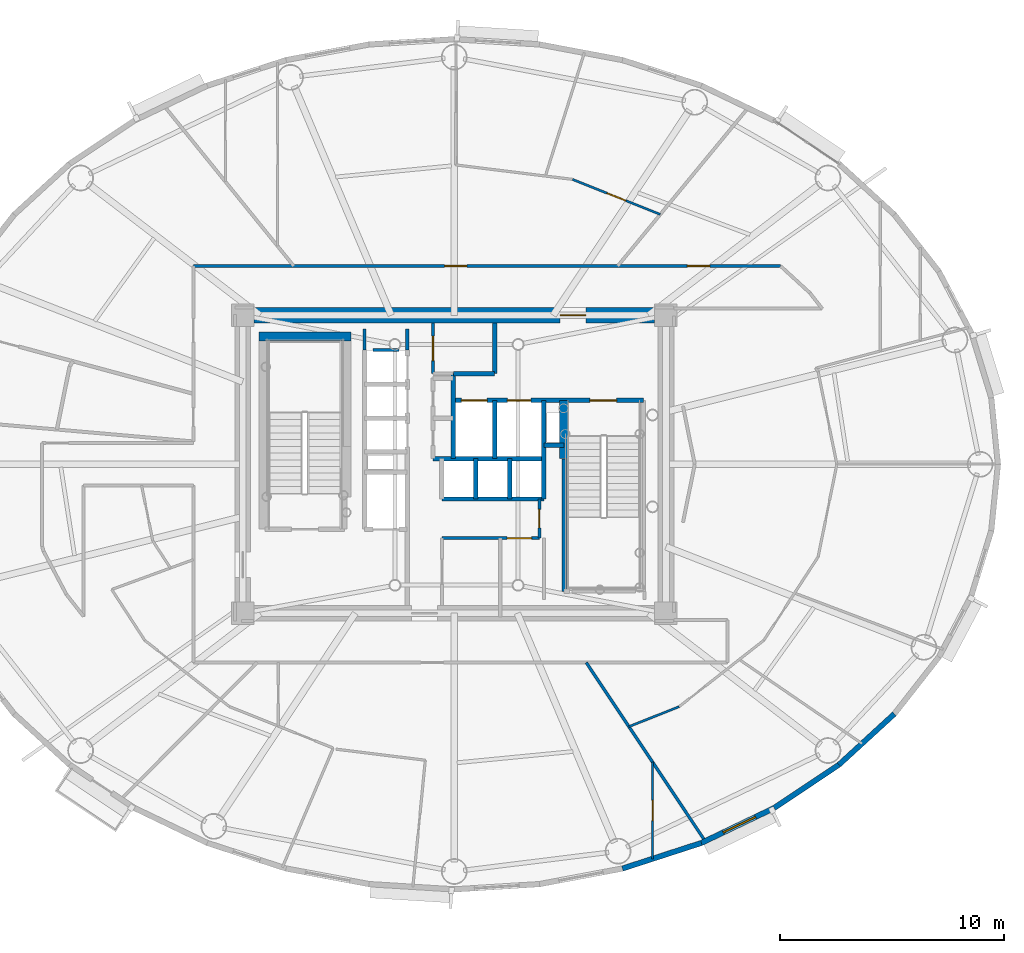
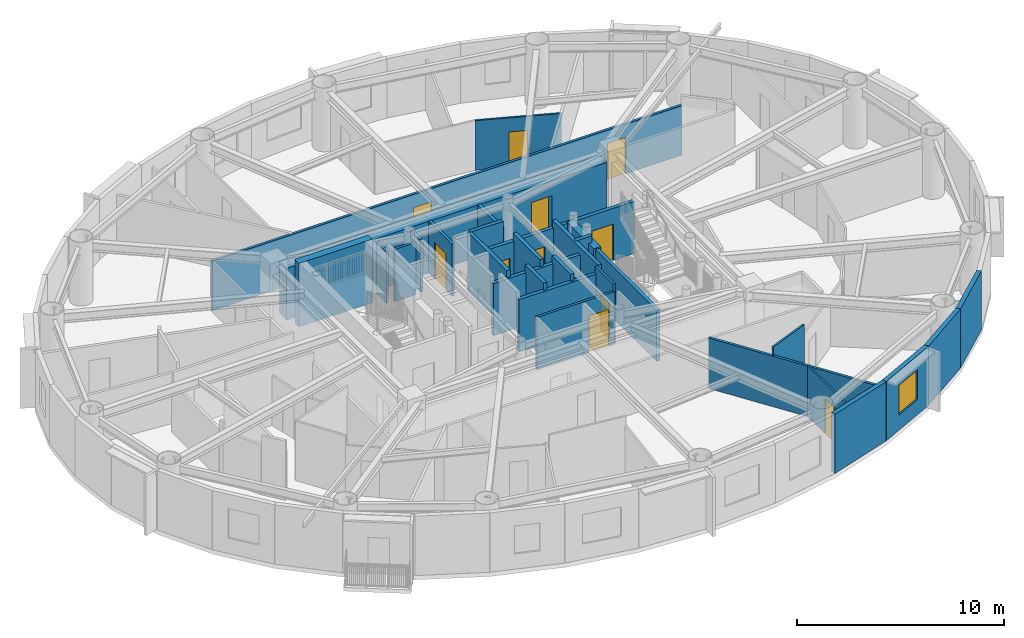
# One storey, part 9 of 18: 30 walls, 11 doors, 1 window, 12 openings.
"""IFC4 building model written with IfcOpenShell, lengths in metres."""

from ifc_helpers import new_model, si_unit, direction, frame, frame_2d, origin, origin_2d, place, context, subcontext, project, spatial, rectangle, extrude, source, transform, mapped, material, layer, layer_set, type_object, element, fill, save


model = new_model("IFC4")

# Units and contexts
model_context = context("Model", 3, precision=1e-05, world=origin(), true_north=direction((0.0, 1.0)))
body_context = subcontext(model_context, "Body", "Model", "MODEL_VIEW")
ifc_project = project(units=[si_unit("LENGTHUNIT", "METRE"), si_unit("AREAUNIT", "SQUARE_METRE"), si_unit("VOLUMEUNIT", "CUBIC_METRE"), si_unit("PLANEANGLEUNIT", "RADIAN"), si_unit("MASSUNIT", "GRAM", prefix="KILO")], contexts=[model_context])

# Site, building, storey
site_placement = place(None, origin())
site = spatial("IfcSite", under=ifc_project, at=site_placement, CompositionType="ELEMENT")
building_placement = place(site_placement, origin())
building = spatial("IfcBuilding", under=site, at=building_placement, Name="Linh Dai School and Residence Tower", CompositionType="ELEMENT")
storey_placement = place(building_placement, frame((0.0, 0.0, 244.050048828125)))
storey = spatial("IfcBuildingStorey", under=building, at=storey_placement, Name="L60", CompositionType="ELEMENT", Elevation=244.050048828125)

# Wall
ifc_material_1 = material(Name="Precast Concrete B45 (C35/45)", Category="concrete")
ifc_layer_1 = layer(ifc_material_1, 0.239990234375)
ifc_layer_set_1 = layer_set([ifc_layer_1], Name="Precast Concrete B45 (C35/45)")
wall_type_1 = type_object("IfcWallType", Name="EW-TC-240", PredefinedType="SOLIDWALL", material=ifc_layer_set_1)
wall_1_placement = place(storey_placement, frame((47.031005859375, 10.093505859375, 0.0), z_axis=(0.0, 0.0, 1.0), x_axis=(-0.951210789182, -0.308541787354, 0.0)))
element("IfcWall", 1, at=wall_1_placement, inside=storey, type_object=wall_type_1, Name="L60 Terracotta Exterior Wall 33", PredefinedType="SOLIDWALL", context=body_context, shape_type="SweptSolid", body=[
    extrude(rectangle(XDim=3.702392578125, YDim=0.239990234375, at=frame_2d((1.85107421875, 0.0))), origin(), (0.0, 0.0, 1.0), 3.5),
])

# Wall, opening, window
wall_2_placement = place(storey_placement, frame((50.280029296875, 11.65234375, 0.0), z_axis=(0.0, 0.0, 1.0), x_axis=(-0.901598104751, -0.432574684313, 0.0)))
wall_2 = element("IfcWall", 2, at=wall_2_placement, inside=storey, type_object=wall_type_1, Name="L60 Terracotta Exterior Wall 34", PredefinedType="SOLIDWALL", context=body_context, shape_type="SweptSolid", body=[
    extrude(rectangle(XDim=3.603515625, YDim=0.239990234375, at=frame_2d((1.8017578125, 0.0))), origin(), (0.0, 0.0, 1.0), 3.5),
])
opening_1_placement = place(wall_2_placement, frame((0.9208984375, 0.0, 0.89990234375)))
opening_1 = element("IfcOpeningElement", 3, at=opening_1_placement, cuts=wall_2, Name="Opening W2", PredefinedType="OPENING", context=body_context, shape_type="SweptSolid", body=[
    extrude(rectangle(XDim=1.60009765625, YDim=1.75, at=origin_2d()), frame((0.800048828125, 0.1298828125, 0.875), z_axis=(0.0, -1.0, 0.0), x_axis=(1.0, 0.0, 0.0)), (0.0, 0.0, 1.0), 0.260009765625),
])
ifc_material_2 = material(Name="Double Low-E Insulated Glazing", Category="glass")
window_type = type_object("IfcWindowType", Name="WN-RES-1600x1750", PartitioningType="DOUBLE_PANEL_VERTICAL", PredefinedType="WINDOW", material=ifc_material_2)
shared_shape_1 = source(origin(), body_context, "Body", "SweptSolid", [
    extrude(rectangle(XDim=1.60009765625, YDim=1.75, at=origin_2d()), frame((0.800048828125, 0.030029296875, 0.875), z_axis=(0.0, -1.0, 0.0), x_axis=(1.0, 0.0, 0.0)), (0.0, 0.0, 1.0), 0.06005859375),
])
window_placement = place(opening_1_placement, origin())
window = element("IfcWindow", 4, at=window_placement, inside=storey, type_object=window_type, Name="L60 Exterior Window 34.1", OverallHeight=1.75, OverallWidth=1.60009765625, PartitioningType="DOUBLE_PANEL_VERTICAL", PredefinedType="WINDOW", context=body_context, shape_type="MappedRepresentation", body=[
    mapped(shared_shape_1, transform((0.0, 0.0, 0.0), x_axis=(1.0, 0.0, 0.0), y_axis=(0.0, 1.0, 0.0), z_axis=(0.0, 0.0, 1.0), scale=1.0)),
])
fill(opening_1, window)

# Walls
wall_3_placement = place(storey_placement, frame((53.17626953125, 13.589111328125, 0.0), z_axis=(0.0, 0.0, 1.0), x_axis=(-0.831262496074, -0.555880079352, 0.0)))
element("IfcWall", 5, at=wall_3_placement, inside=storey, type_object=wall_type_1, Name="L60 Terracotta Exterior Wall 35", PredefinedType="SOLIDWALL", context=body_context, shape_type="SweptSolid", body=[
    extrude(rectangle(XDim=3.484130859375, YDim=0.239990234375, at=frame_2d((1.7421875, 0.0))), origin(), (0.0, 0.0, 1.0), 3.5),
])
wall_4_placement = place(storey_placement, frame((55.6484375, 15.85546875, 0.0), z_axis=(0.0, 0.0, 1.0), x_axis=(-0.737123922599, -0.675757591694, 0.0)))
element("IfcWall", 6, at=wall_4_placement, inside=storey, type_object=wall_type_1, Name="L60 Terracotta Exterior Wall 36", PredefinedType="SOLIDWALL", context=body_context, shape_type="SweptSolid", body=[
    extrude(rectangle(XDim=3.353759765625, YDim=0.239990234375, at=frame_2d((1.6767578125, 0.0))), origin(), (0.0, 0.0, 1.0), 3.5),
])

# Wall, openings, doors
ifc_material_3 = material(Name="Autoclaved Aerated Concrete Blockwork", Category="masonry")
ifc_layer_2 = layer(ifc_material_3, 0.135009765625)
ifc_layer_set_2 = layer_set([ifc_layer_2], Name="Autoclaved Aerated Concrete Blockwork")
wall_type_2 = type_object("IfcWallType", Name="IW-CORR-135-EI90", PredefinedType="PARTITIONING", material=ifc_layer_set_2)
wall_5_placement = place(storey_placement, frame((24.35009765625, 35.85009765625, 0.0), z_axis=(0.0, 0.0, 1.0), x_axis=(1.0, 0.0, 0.0)))
wall_5 = element("IfcWall", 7, at=wall_5_placement, inside=storey, type_object=wall_type_2, Name="L60 Interior Partition Wall 022", PredefinedType="PARTITIONING", context=body_context, shape_type="SweptSolid", body=[
    extrude(rectangle(XDim=26.2177734375, YDim=0.135009765625, at=frame_2d((13.10888671875, 0.0))), origin(), (0.0, 0.0, 1.0), 2.93505859375),
])
opening_2_placement = place(wall_5_placement, frame((22.0615234375, 0.0, 0.0)))
opening_2 = element("IfcOpeningElement", 8, at=opening_2_placement, cuts=wall_5, Name="Opening D03", PredefinedType="OPENING", context=body_context, shape_type="SweptSolid", body=[
    extrude(rectangle(XDim=1.0, YDim=2.14990234375, at=origin_2d()), frame((0.5, 0.07763671875, 1.074951171875), z_axis=(0.0, -1.0, 0.0), x_axis=(1.0, 0.0, 0.0)), (0.0, 0.0, 1.0), 0.155029296875),
])
opening_3_placement = place(wall_5_placement, frame((11.21435546875, 0.0, 0.0)))
opening_3 = element("IfcOpeningElement", 9, at=opening_3_placement, cuts=wall_5, Name="Opening D03", PredefinedType="OPENING", context=body_context, shape_type="SweptSolid", body=[
    extrude(rectangle(XDim=1.0, YDim=2.14990234375, at=origin_2d()), frame((0.5, 0.07763671875, 1.074951171875), z_axis=(0.0, -1.0, 0.0), x_axis=(1.0, 0.0, 0.0)), (0.0, 0.0, 1.0), 0.155029296875),
])
ifc_material_4 = material(Name="Fire-Rated Solid Timber Entrance Door", Category="wood")
door_type_1 = type_object("IfcDoorType", Name="DR-FLAT-1000x2150-FD60S", OperationType="NOTDEFINED", PredefinedType="DOOR", material=ifc_material_4)
shared_shape_2 = source(origin(), body_context, "Body", "SweptSolid", [
    extrude(rectangle(XDim=1.0, YDim=2.14990234375, at=origin_2d()), frame((0.5, 0.02490234375, 1.074951171875), z_axis=(0.0, -1.0, 0.0), x_axis=(1.0, 0.0, 0.0)), (0.0, 0.0, 1.0), 0.050048828125),
])
door_1_placement = place(opening_2_placement, origin())
door_1 = element("IfcDoor", 10, at=door_1_placement, inside=storey, type_object=door_type_1, Name="L60 U6003 Apartment Entrance Door", OperationType="SINGLE_SWING_LEFT", OverallHeight=2.14990234375, OverallWidth=1.0, PredefinedType="DOOR", context=body_context, shape_type="MappedRepresentation", body=[
    mapped(shared_shape_2, transform((0.0, 0.0, 0.0), x_axis=(1.0, 0.0, 0.0), y_axis=(0.0, 1.0, 0.0), z_axis=(0.0, 0.0, 1.0), scale=1.0)),
])
fill(opening_2, door_1)
door_2_placement = place(opening_3_placement, origin())
door_2 = element("IfcDoor", 11, at=door_2_placement, inside=storey, type_object=door_type_1, Name="L60 U6004 Apartment Entrance Door", OperationType="SINGLE_SWING_RIGHT", OverallHeight=2.14990234375, OverallWidth=1.0, PredefinedType="DOOR", context=body_context, shape_type="MappedRepresentation", body=[
    mapped(shared_shape_2, transform((0.0, 0.0, 0.0), x_axis=(1.0, 0.0, 0.0), y_axis=(0.0, 1.0, 0.0), z_axis=(0.0, 0.0, 1.0), scale=1.0)),
])
fill(opening_3, door_2)

# Wall, opening, door
wall_6_placement = place(storey_placement, frame((35.050048828125, 31.050048828125, 0.0), z_axis=(0.0, 0.0, 1.0), x_axis=(0.0, 1.0, 0.0)))
wall_6 = element("IfcWall", 12, at=wall_6_placement, inside=storey, type_object=wall_type_2, Name="L60 Interior Partition Wall 043", PredefinedType="PARTITIONING", context=body_context, shape_type="SweptSolid", body=[
    extrude(rectangle(XDim=2.25, YDim=0.135009765625, at=frame_2d((1.125, 0.0))), origin(), (0.0, 0.0, 1.0), 3.0849609375),
])
opening_4_placement = place(wall_6_placement, frame((0.574951171875, 0.0, 0.0)))
opening_4 = element("IfcOpeningElement", 13, at=opening_4_placement, cuts=wall_6, Name="Opening D07", PredefinedType="OPENING", context=body_context, shape_type="SweptSolid", body=[
    extrude(rectangle(XDim=1.10009765625, YDim=2.14990234375, at=origin_2d()), frame((0.550048828125, 0.07763671875, 1.074951171875), z_axis=(0.0, -1.0, 0.0), x_axis=(1.0, 0.0, 0.0)), (0.0, 0.0, 1.0), 0.155029296875),
])
ifc_material_5 = material(Name="Fire-Rated Louvred Steel Plant Door", Category="steel")
door_type_2 = type_object("IfcDoorType", Name="DR-PLT-1100x2150-FD60S", OperationType="NOTDEFINED", PredefinedType="DOOR", material=ifc_material_5)
shared_shape_3 = source(origin(), body_context, "Body", "SweptSolid", [
    extrude(rectangle(XDim=1.10009765625, YDim=2.14990234375, at=origin_2d()), frame((0.550048828125, 0.02490234375, 1.074951171875), z_axis=(0.0, -1.0, 0.0), x_axis=(1.0, 0.0, 0.0)), (0.0, 0.0, 1.0), 0.050048828125),
])
door_3_placement = place(opening_4_placement, origin())
door_3 = element("IfcDoor", 14, at=door_3_placement, inside=storey, type_object=door_type_2, Name="L60 North BMS Switchroom Door", OperationType="SINGLE_SWING_LEFT", OverallHeight=2.14990234375, OverallWidth=1.10009765625, PredefinedType="DOOR", context=body_context, shape_type="MappedRepresentation", body=[
    mapped(shared_shape_3, transform((0.0, 0.0, 0.0), x_axis=(1.0, 0.0, 0.0), y_axis=(0.0, 1.0, 0.0), z_axis=(0.0, 0.0, 1.0), scale=1.0)),
])
fill(opening_4, door_3)

wall_7_placement = place(storey_placement, frame((35.449951171875, 23.699951171875, 0.0), z_axis=(0.0, 0.0, 1.0), x_axis=(1.0, 0.0, 0.0)))
wall_7 = element("IfcWall", 15, at=wall_7_placement, inside=storey, type_object=wall_type_2, Name="L60 Interior Partition Wall 046", PredefinedType="PARTITIONING", context=body_context, shape_type="SweptSolid", body=[
    extrude(rectangle(XDim=4.35009765625, YDim=0.135009765625, at=frame_2d((2.175048828125, 0.0))), origin(), (0.0, 0.0, 1.0), 3.0849609375),
])
opening_5_placement = place(wall_7_placement, frame((2.905029296875, 0.0, 0.0)))
opening_5 = element("IfcOpeningElement", 16, at=opening_5_placement, cuts=wall_7, Name="Opening D07", PredefinedType="OPENING", context=body_context, shape_type="SweptSolid", body=[
    extrude(rectangle(XDim=1.10009765625, YDim=2.14990234375, at=origin_2d()), frame((0.550048828125, 0.07763671875, 1.074951171875), z_axis=(0.0, -1.0, 0.0), x_axis=(1.0, 0.0, 0.0)), (0.0, 0.0, 1.0), 0.155029296875),
])
door_4_placement = place(opening_5_placement, origin())
door_4 = element("IfcDoor", 17, at=door_4_placement, inside=storey, type_object=door_type_2, Name="L60 Telecom Node Room Door", OperationType="SINGLE_SWING_RIGHT", OverallHeight=2.14990234375, OverallWidth=1.10009765625, PredefinedType="DOOR", context=body_context, shape_type="MappedRepresentation", body=[
    mapped(shared_shape_3, transform((0.0, 0.0, 0.0), x_axis=(1.0, 0.0, 0.0), y_axis=(0.0, 1.0, 0.0), z_axis=(0.0, 0.0, 1.0), scale=1.0)),
])
fill(opening_5, door_4)

wall_8_placement = place(storey_placement, frame((39.800048828125, 23.699951171875, 0.0), z_axis=(0.0, 0.0, 1.0), x_axis=(0.0, 1.0, 0.0)))
wall_8 = element("IfcWall", 18, at=wall_8_placement, inside=storey, type_object=wall_type_2, Name="L60 Interior Partition Wall 059", PredefinedType="PARTITIONING", context=body_context, shape_type="SweptSolid", body=[
    extrude(rectangle(XDim=1.75, YDim=0.135009765625, at=frame_2d((0.875, 0.0))), origin(), (0.0, 0.0, 1.0), 3.5),
])
opening_6_placement = place(wall_8_placement, frame((0.465087890625, 0.0, 0.0)))
opening_6 = element("IfcOpeningElement", 19, at=opening_6_placement, cuts=wall_8, Name="Opening D06", PredefinedType="OPENING", context=body_context, shape_type="SweptSolid", body=[
    extrude(rectangle(XDim=0.820068359375, YDim=2.10009765625, at=origin_2d()), frame((0.41015625, 0.07763671875, 1.050048828125), z_axis=(0.0, -1.0, 0.0), x_axis=(1.0, 0.0, 0.0)), (0.0, 0.0, 1.0), 0.155029296875),
])
ifc_material_6 = material(Name="Moisture-Resistant Timber Bathroom Door", Category="wood")
door_type_3 = type_object("IfcDoorType", Name="DR-WET-820x2100", OperationType="NOTDEFINED", PredefinedType="DOOR", material=ifc_material_6)
shared_shape_4 = source(origin(), body_context, "Body", "SweptSolid", [
    extrude(rectangle(XDim=0.820068359375, YDim=2.10009765625, at=origin_2d()), frame((0.41015625, 0.02490234375, 1.050048828125), z_axis=(0.0, -1.0, 0.0), x_axis=(1.0, 0.0, 0.0)), (0.0, 0.0, 1.0), 0.050048828125),
])
door_5_placement = place(opening_6_placement, origin())
door_5 = element("IfcDoor", 20, at=door_5_placement, inside=storey, type_object=door_type_3, Name="L60 East Linen Store Door", OperationType="SINGLE_SWING_RIGHT", OverallHeight=2.10009765625, OverallWidth=0.820068359375, PredefinedType="DOOR", context=body_context, shape_type="MappedRepresentation", body=[
    mapped(shared_shape_4, transform((0.0, 0.0, 0.0), x_axis=(1.0, 0.0, 0.0), y_axis=(0.0, 1.0, 0.0), z_axis=(0.0, 0.0, 1.0), scale=1.0)),
])
fill(opening_6, door_5)

# Walls
wall_9_placement = place(storey_placement, frame((41.8916015625, 18.14990234375, 0.0), z_axis=(0.0, 0.0, 1.0), x_axis=(0.554159347899, -0.832410606093, 0.0)))
element("IfcWall", 21, at=wall_9_placement, inside=storey, type_object=wall_type_2, Name="L60 Interior Partition Wall 066", PredefinedType="PARTITIONING", context=body_context, shape_type="SweptSolid", body=[
    extrude(rectangle(XDim=9.585693359375, YDim=0.135009765625, at=frame_2d((4.79296875, 0.0))), origin(), (0.0, 0.0, 1.0), 2.98486328125),
])
wall_10_placement = place(storey_placement, frame((32.360107421875, 32.10009765625, 0.0), z_axis=(0.0, 0.0, 1.0), x_axis=(1.0, 0.0, 0.0)))
element("IfcWall", 22, at=wall_10_placement, inside=storey, type_object=wall_type_2, Name="L60 Interior Partition Wall 088", PredefinedType="PARTITIONING", context=body_context, shape_type="SweptSolid", body=[
    extrude(rectangle(XDim=1.179931640625, YDim=0.135009765625, at=frame_2d((0.58984375, 0.0))), origin(), (0.0, 0.0, 1.0), 3.0849609375),
])
wall_11_placement = place(storey_placement, frame((32.0, 33.0400390625, 0.0), z_axis=(0.0, 0.0, 1.0), x_axis=(0.0, -1.0, 0.0)))
element("IfcWall", 23, at=wall_11_placement, inside=storey, type_object=wall_type_2, Name="L60 Interior Partition Wall 090", PredefinedType="PARTITIONING", context=body_context, shape_type="SweptSolid", body=[
    extrude(rectangle(XDim=0.929931640625, YDim=0.135009765625, at=frame_2d((0.46484375, 0.0))), origin(), (0.0, 0.0, 1.0), 3.034912109375),
])
wall_12_placement = place(storey_placement, frame((33.89990234375, 32.110107421875, 0.0), z_axis=(0.0, 0.0, 1.0), x_axis=(0.0, 1.0, 0.0)))
element("IfcWall", 24, at=wall_12_placement, inside=storey, type_object=wall_type_2, Name="L60 Interior Partition Wall 092", PredefinedType="PARTITIONING", context=body_context, shape_type="SweptSolid", body=[
    extrude(rectangle(XDim=0.929931640625, YDim=0.135009765625, at=frame_2d((0.46484375, 0.0))), origin(), (0.0, 0.0, 1.0), 3.0849609375),
])
ifc_material_7 = material(Name="Concrete B45 (C35/45)", Category="concrete")
ifc_layer_3 = layer(ifc_material_7, 0.199951171875)
ifc_layer_set_3 = layer_set([ifc_layer_3], Name="Concrete B45 (C35/45)")
wall_type_3 = type_object("IfcWallType", Name="IW-SHAFT-200-EI120", PredefinedType="PARTITIONING", material=ifc_layer_set_3)
wall_13_placement = place(storey_placement, frame((35.050048828125, 27.25, 0.0), z_axis=(0.0, 0.0, 1.0), x_axis=(1.0, 0.0, 0.0)))
element("IfcWall", 25, at=wall_13_placement, inside=storey, type_object=wall_type_3, Name="L60 Interior Partition Wall 040", PredefinedType="PARTITIONING", context=body_context, shape_type="SweptSolid", body=[
    extrude(rectangle(XDim=4.949951171875, YDim=0.199951171875, at=frame_2d((2.47509765625, 0.0))), origin(), (0.0, 0.0, 1.0), 3.0849609375),
])
wall_14_placement = place(storey_placement, frame((35.449951171875, 25.449951171875, 0.0), z_axis=(0.0, 0.0, 1.0), x_axis=(1.0, 0.0, 0.0)))
element("IfcWall", 26, at=wall_14_placement, inside=storey, type_object=wall_type_3, Name="L60 Interior Partition Wall 048", PredefinedType="PARTITIONING", context=body_context, shape_type="SweptSolid", body=[
    extrude(rectangle(XDim=4.550048828125, YDim=0.199951171875, at=frame_2d((2.27490234375, 0.0))), origin(), (0.0, 0.0, 1.0), 3.0849609375),
])
wall_15_placement = place(storey_placement, frame((35.949951171875, 27.25, 0.0), z_axis=(0.0, 0.0, 1.0), x_axis=(0.0, 1.0, 0.0)))
element("IfcWall", 27, at=wall_15_placement, inside=storey, type_object=wall_type_3, Name="L60 Interior Partition Wall 049", PredefinedType="PARTITIONING", context=body_context, shape_type="SweptSolid", body=[
    extrude(rectangle(XDim=3.800048828125, YDim=0.199951171875, at=frame_2d((1.89990234375, 0.0))), origin(), (0.0, 0.0, 1.0), 3.5),
])

# Wall, openings, doors
wall_16_placement = place(storey_placement, frame((35.949951171875, 29.85009765625, 0.0), z_axis=(0.0, 0.0, 1.0), x_axis=(1.0, 0.0, 0.0)))
wall_16 = element("IfcWall", 28, at=wall_16_placement, inside=storey, type_object=wall_type_3, Name="L60 Interior Partition Wall 050", PredefinedType="PARTITIONING", context=body_context, shape_type="SweptSolid", body=[
    extrude(rectangle(XDim=8.489990234375, YDim=0.199951171875, at=frame_2d((4.2451171875, 0.0))), origin(), (0.0, 0.0, 1.0), 3.0849609375),
])
opening_7_placement = place(wall_16_placement, frame((6.10009765625, 0.0, 0.0)))
opening_7 = element("IfcOpeningElement", 29, at=opening_7_placement, cuts=wall_16, Name="Opening D01", PredefinedType="OPENING", context=body_context, shape_type="SweptSolid", body=[
    extrude(rectangle(XDim=1.199951171875, YDim=2.14990234375, at=origin_2d()), frame((0.60009765625, 0.10986328125, 1.074951171875), z_axis=(0.0, -1.0, 0.0), x_axis=(1.0, 0.0, 0.0)), (0.0, 0.0, 1.0), 0.219970703125),
])
opening_8_placement = place(wall_16_placement, frame((0.3701171875, 0.0, 0.0)))
opening_8 = element("IfcOpeningElement", 30, at=opening_8_placement, cuts=wall_16, Name="Opening LD-FF1", PredefinedType="OPENING", context=body_context, shape_type="SweptSolid", body=[
    extrude(rectangle(XDim=1.14990234375, YDim=2.14990234375, at=origin_2d()), frame((0.574951171875, 0.10986328125, 1.074951171875), z_axis=(0.0, -1.0, 0.0), x_axis=(1.0, 0.0, 0.0)), (0.0, 0.0, 1.0), 0.219970703125),
])
opening_9_placement = place(wall_16_placement, frame((2.425048828125, 0.0, 0.0)))
opening_9 = element("IfcOpeningElement", 31, at=opening_9_placement, cuts=wall_16, Name="Opening LD-SV1", PredefinedType="OPENING", context=body_context, shape_type="SweptSolid", body=[
    extrude(rectangle(XDim=1.050048828125, YDim=2.14990234375, at=origin_2d()), frame((0.52490234375, 0.10986328125, 1.074951171875), z_axis=(0.0, -1.0, 0.0), x_axis=(1.0, 0.0, 0.0)), (0.0, 0.0, 1.0), 0.219970703125),
])
ifc_material_8 = material(Name="Fire-Rated Steel Door Leaf", Category="steel")
door_type_4 = type_object("IfcDoorType", Name="DR-STAIR-1200x2150-FD90S", OperationType="NOTDEFINED", PredefinedType="DOOR", material=ifc_material_8)
shared_shape_5 = source(origin(), body_context, "Body", "SweptSolid", [
    extrude(rectangle(XDim=1.199951171875, YDim=2.14990234375, at=origin_2d()), frame((0.60009765625, 0.02490234375, 1.074951171875), z_axis=(0.0, -1.0, 0.0), x_axis=(1.0, 0.0, 0.0)), (0.0, 0.0, 1.0), 0.050048828125),
])
door_6_placement = place(opening_7_placement, origin())
door_6 = element("IfcDoor", 32, at=door_6_placement, inside=storey, type_object=door_type_4, Name="L60 Core Smokeproof Exit Stair ST2 Door", OperationType="SINGLE_SWING_RIGHT", OverallHeight=2.14990234375, OverallWidth=1.199951171875, PredefinedType="DOOR", context=body_context, shape_type="MappedRepresentation", body=[
    mapped(shared_shape_5, transform((0.0, 0.0, 0.0), x_axis=(1.0, 0.0, 0.0), y_axis=(0.0, 1.0, 0.0), z_axis=(0.0, 0.0, 1.0), scale=1.0)),
])
fill(opening_7, door_6)
ifc_material_9 = material(Name="Fire-Rated Stainless Steel Firefighting Lift Door", Category="steel")
door_type_5 = type_object("IfcDoorType", Name="DR-LD-FF-1150x2150-FD120", OperationType="DOUBLE_DOOR_SLIDING", PredefinedType="USERDEFINED", material=ifc_material_9)
shared_shape_6 = source(origin(), body_context, "Body", "SweptSolid", [
    extrude(rectangle(XDim=1.14990234375, YDim=2.14990234375, at=origin_2d()), frame((0.574951171875, 0.02490234375, 1.074951171875), z_axis=(0.0, -1.0, 0.0), x_axis=(1.0, 0.0, 0.0)), (0.0, 0.0, 1.0), 0.050048828125),
])
door_7_placement = place(opening_8_placement, origin())
door_7 = element("IfcDoor", 33, at=door_7_placement, inside=storey, type_object=door_type_5, Name="L60 Lift FF1 Sliding Landing Door", ObjectType="LANDING DOOR", OperationType="DOUBLE_DOOR_SLIDING", OverallHeight=2.14990234375, OverallWidth=1.14990234375, PredefinedType="USERDEFINED", context=body_context, shape_type="MappedRepresentation", body=[
    mapped(shared_shape_6, transform((0.0, 0.0, 0.0), x_axis=(1.0, 0.0, 0.0), y_axis=(0.0, 1.0, 0.0), z_axis=(0.0, 0.0, 1.0), scale=1.0)),
])
fill(opening_8, door_7)
ifc_material_10 = material(Name="Brushed Stainless Steel Lift Landing Door", Category="steel")
door_type_6 = type_object("IfcDoorType", Name="DR-LD-PASS-1050x2150", OperationType="DOUBLE_DOOR_SLIDING", PredefinedType="USERDEFINED", material=ifc_material_10)
shared_shape_7 = source(origin(), body_context, "Body", "SweptSolid", [
    extrude(rectangle(XDim=1.050048828125, YDim=2.14990234375, at=origin_2d()), frame((0.52490234375, 0.02490234375, 1.074951171875), z_axis=(0.0, -1.0, 0.0), x_axis=(1.0, 0.0, 0.0)), (0.0, 0.0, 1.0), 0.050048828125),
])
door_8_placement = place(opening_9_placement, origin())
door_8 = element("IfcDoor", 34, at=door_8_placement, inside=storey, type_object=door_type_6, Name="L60 Lift SV1 Sliding Landing Door", ObjectType="LANDING DOOR", OperationType="DOUBLE_DOOR_SLIDING", OverallHeight=2.14990234375, OverallWidth=1.050048828125, PredefinedType="USERDEFINED", context=body_context, shape_type="MappedRepresentation", body=[
    mapped(shared_shape_7, transform((0.0, 0.0, 0.0), x_axis=(1.0, 0.0, 0.0), y_axis=(0.0, 1.0, 0.0), z_axis=(0.0, 0.0, 1.0), scale=1.0)),
])
fill(opening_9, door_8)

# Walls
wall_17_placement = place(storey_placement, frame((35.9599609375, 31.050048828125, 0.0), z_axis=(0.0, 0.0, 1.0), x_axis=(1.0, 0.0, 0.0)))
element("IfcWall", 35, at=wall_17_placement, inside=storey, type_object=wall_type_3, Name="L60 Interior Partition Wall 051", PredefinedType="PARTITIONING", context=body_context, shape_type="SweptSolid", body=[
    extrude(rectangle(XDim=1.840087890625, YDim=0.199951171875, at=frame_2d((0.919921875, 0.0))), origin(), (0.0, 0.0, 1.0), 3.5),
])
wall_18_placement = place(storey_placement, frame((36.9599609375, 25.449951171875, 0.0), z_axis=(0.0, 0.0, 1.0), x_axis=(0.0, 1.0, 0.0)))
element("IfcWall", 36, at=wall_18_placement, inside=storey, type_object=wall_type_3, Name="L60 Interior Partition Wall 054", PredefinedType="PARTITIONING", context=body_context, shape_type="SweptSolid", body=[
    extrude(rectangle(XDim=1.800048828125, YDim=0.199951171875, at=frame_2d((0.89990234375, 0.0))), origin(), (0.0, 0.0, 1.0), 3.5),
])
wall_19_placement = place(storey_placement, frame((37.800048828125, 27.25, 0.0), z_axis=(0.0, 0.0, 1.0), x_axis=(0.0, 1.0, 0.0)))
element("IfcWall", 37, at=wall_19_placement, inside=storey, type_object=wall_type_3, Name="L60 Interior Partition Wall 055", PredefinedType="PARTITIONING", context=body_context, shape_type="SweptSolid", body=[
    extrude(rectangle(XDim=2.60009765625, YDim=0.199951171875, at=frame_2d((1.300048828125, 0.0))), origin(), (0.0, 0.0, 1.0), 3.5),
])
wall_20_placement = place(storey_placement, frame((37.800048828125, 31.050048828125, 0.0), z_axis=(0.0, 0.0, 1.0), x_axis=(0.0, 1.0, 0.0)))
element("IfcWall", 38, at=wall_20_placement, inside=storey, type_object=wall_type_3, Name="L60 Interior Partition Wall 056", PredefinedType="PARTITIONING", context=body_context, shape_type="SweptSolid", body=[
    extrude(rectangle(XDim=2.25, YDim=0.199951171875, at=frame_2d((1.125, 0.0))), origin(), (0.0, 0.0, 1.0), 3.0849609375),
])
wall_21_placement = place(storey_placement, frame((38.47998046875, 25.449951171875, 0.0), z_axis=(0.0, 0.0, 1.0), x_axis=(0.0, 1.0, 0.0)))
element("IfcWall", 39, at=wall_21_placement, inside=storey, type_object=wall_type_3, Name="L60 Interior Partition Wall 058", PredefinedType="PARTITIONING", context=body_context, shape_type="SweptSolid", body=[
    extrude(rectangle(XDim=1.800048828125, YDim=0.199951171875, at=frame_2d((0.89990234375, 0.0))), origin(), (0.0, 0.0, 1.0), 3.5),
])
wall_22_placement = place(storey_placement, frame((40.0, 25.449951171875, 0.0), z_axis=(0.0, 0.0, 1.0), x_axis=(0.0, 1.0, 0.0)))
element("IfcWall", 40, at=wall_22_placement, inside=storey, type_object=wall_type_3, Name="L60 Interior Partition Wall 060", PredefinedType="PARTITIONING", context=body_context, shape_type="SweptSolid", body=[
    extrude(rectangle(XDim=4.400146484375, YDim=0.199951171875, at=frame_2d((2.2001953125, 0.0))), origin(), (0.0, 0.0, 1.0), 3.5),
])
wall_23_placement = place(storey_placement, frame((40.0, 27.85009765625, 0.0), z_axis=(0.0, 0.0, 1.0), x_axis=(1.0, 0.0, 0.0)))
element("IfcWall", 41, at=wall_23_placement, inside=storey, type_object=wall_type_3, Name="L60 Interior Partition Wall 061", PredefinedType="PARTITIONING", context=body_context, shape_type="SweptSolid", body=[
    extrude(rectangle(XDim=0.89990234375, YDim=0.199951171875, at=frame_2d((0.449951171875, 0.0))), origin(), (0.0, 0.0, 1.0), 3.5),
])
wall_24_placement = place(storey_placement, frame((40.89990234375, 21.330078125, 0.0), z_axis=(0.0, 0.0, 1.0), x_axis=(0.0, 1.0, 0.0)))
element("IfcWall", 42, at=wall_24_placement, inside=storey, type_object=wall_type_3, Name="L60 Interior Partition Wall 063", PredefinedType="PARTITIONING", context=body_context, shape_type="SweptSolid", body=[
    extrude(rectangle(XDim=5.909912109375, YDim=0.199951171875, at=frame_2d((2.955078125, 0.0))), origin(), (0.0, 0.0, 1.0), 3.034912109375),
])

# Wall, opening, door
ifc_material_11 = material(Name="Gypsum Plasterboard Acoustic Stud Partition", Category="masonry")
ifc_layer_4 = layer(ifc_material_11, 0.10009765625)
ifc_layer_set_4 = layer_set([ifc_layer_4], Name="Gypsum Plasterboard Acoustic Stud Partition")
wall_type_4 = type_object("IfcWallType", Name="IW-UNIT-100", PredefinedType="PARTITIONING", material=ifc_layer_set_4)
wall_25_placement = place(storey_placement, frame((41.278076171875, 39.718994140625, 0.0), z_axis=(0.0, 0.0, 1.0), x_axis=(0.928799648329, -0.370582262478, 0.0)))
wall_25 = element("IfcWall", 43, at=wall_25_placement, inside=storey, type_object=wall_type_4, Name="L60 Interior Partition Wall 065", PredefinedType="PARTITIONING", context=body_context, shape_type="SweptSolid", body=[
    extrude(rectangle(XDim=4.21826171875, YDim=0.10009765625, at=frame_2d((2.109130859375, 0.0))), origin(), (0.0, 0.0, 1.0), 2.93505859375),
])
opening_10_placement = place(wall_25_placement, frame((1.6591796875, 0.0, 0.0)))
opening_10 = element("IfcOpeningElement", 44, at=opening_10_placement, cuts=wall_25, Name="Opening D05", PredefinedType="OPENING", context=body_context, shape_type="SweptSolid", body=[
    extrude(rectangle(XDim=0.89990234375, YDim=2.10009765625, at=origin_2d()), frame((0.449951171875, 0.06005859375, 1.050048828125), z_axis=(0.0, -1.0, 0.0), x_axis=(1.0, 0.0, 0.0)), (0.0, 0.0, 1.0), 0.1201171875),
])
ifc_material_12 = material(Name="Engineered Timber Internal Door", Category="wood")
door_type_7 = type_object("IfcDoorType", Name="DR-INT-900x2100", OperationType="NOTDEFINED", PredefinedType="DOOR", material=ifc_material_12)
shared_shape_8 = source(origin(), body_context, "Body", "SweptSolid", [
    extrude(rectangle(XDim=0.89990234375, YDim=2.10009765625, at=origin_2d()), frame((0.449951171875, 0.02490234375, 1.050048828125), z_axis=(0.0, -1.0, 0.0), x_axis=(1.0, 0.0, 0.0)), (0.0, 0.0, 1.0), 0.050048828125),
])
door_9_placement = place(opening_10_placement, origin())
door_9 = element("IfcDoor", 45, at=door_9_placement, inside=storey, type_object=door_type_7, Name="L60 Apartment U6004 Principal Bedroom 1 Door", OperationType="SINGLE_SWING_LEFT", OverallHeight=2.10009765625, OverallWidth=0.89990234375, PredefinedType="DOOR", context=body_context, shape_type="MappedRepresentation", body=[
    mapped(shared_shape_8, transform((0.0, 0.0, 0.0), x_axis=(1.0, 0.0, 0.0), y_axis=(0.0, 1.0, 0.0), z_axis=(0.0, 0.0, 1.0), scale=1.0)),
])
fill(opening_10, door_9)

# Wall
wall_26_placement = place(storey_placement, frame((43.798095703125, 15.286376953125, 0.0), z_axis=(0.0, 0.0, 1.0), x_axis=(0.928790351735, 0.370605561918, 0.0)))
element("IfcWall", 46, at=wall_26_placement, inside=storey, type_object=wall_type_4, Name="L60 Interior Partition Wall 068", PredefinedType="PARTITIONING", context=body_context, shape_type="SweptSolid", body=[
    extrude(rectangle(XDim=2.4130859375, YDim=0.10009765625, at=frame_2d((1.20654296875, 0.0))), origin(), (0.0, 0.0, 1.0), 3.5),
])

# Wall, opening, door
wall_27_placement = place(storey_placement, frame((44.8525390625, 9.381591796875, 0.0), z_axis=(0.0, 0.0, 1.0), x_axis=(0.0, 1.0, 0.0)))
wall_27 = element("IfcWall", 47, at=wall_27_placement, inside=storey, type_object=wall_type_4, Name="L60 Interior Partition Wall 070", PredefinedType="PARTITIONING", context=body_context, shape_type="SweptSolid", body=[
    extrude(rectangle(XDim=4.32080078125, YDim=0.10009765625, at=frame_2d((2.160400390625, 0.0))), origin(), (0.0, 0.0, 1.0), 2.98486328125),
])
opening_11_placement = place(wall_27_placement, frame((1.710205078125, 0.0, 0.0)))
opening_11 = element("IfcOpeningElement", 48, at=opening_11_placement, cuts=wall_27, Name="Opening D05", PredefinedType="OPENING", context=body_context, shape_type="SweptSolid", body=[
    extrude(rectangle(XDim=0.89990234375, YDim=2.10009765625, at=origin_2d()), frame((0.449951171875, 0.06005859375, 1.050048828125), z_axis=(0.0, -1.0, 0.0), x_axis=(1.0, 0.0, 0.0)), (0.0, 0.0, 1.0), 0.1201171875),
])
door_10_placement = place(opening_11_placement, origin())
door_10 = element("IfcDoor", 49, at=door_10_placement, inside=storey, type_object=door_type_7, Name="L60 Apartment U6002 Kitchen Door", OperationType="SINGLE_SWING_RIGHT", OverallHeight=2.10009765625, OverallWidth=0.89990234375, PredefinedType="DOOR", context=body_context, shape_type="MappedRepresentation", body=[
    mapped(shared_shape_8, transform((0.0, 0.0, 0.0), x_axis=(1.0, 0.0, 0.0), y_axis=(0.0, 1.0, 0.0), z_axis=(0.0, 0.0, 1.0), scale=1.0)),
])
fill(opening_11, door_10)

# Walls
ifc_layer_5 = layer(ifc_material_7, 0.39990234375)
ifc_layer_set_5 = layer_set([ifc_layer_5], Name="Concrete B45 (C35/45)")
wall_type_5 = type_object("IfcWallType", Name="WL-CORE400", PredefinedType="SHEAR", material=ifc_layer_set_5)
wall_28_placement = place(storey_placement, frame((27.280029296875, 32.699951171875, 0.0), z_axis=(0.0, 0.0, 1.0), x_axis=(1.0, 0.0, 0.0)))
element("IfcWall", 50, at=wall_28_placement, inside=storey, type_object=wall_type_5, Name="L60 Core Stair ST1 Bearing Wall N", PredefinedType="SHEAR", context=body_context, shape_type="SweptSolid", body=[
    extrude(rectangle(XDim=4.099853515625, YDim=0.39990234375, at=frame_2d((2.0498046875, 0.0))), origin(), (0.0, 0.0, 1.0), 3.75),
])
wall_29_placement = place(storey_placement, frame((40.89990234375, 27.25, 0.0), z_axis=(0.0, 0.0, 1.0), x_axis=(0.0, 1.0, 0.0)))
element("IfcWall", 51, at=wall_29_placement, inside=storey, type_object=wall_type_5, Name="L60 Internal Core Shear Wall IE", PredefinedType="SHEAR", context=body_context, shape_type="SweptSolid", body=[
    extrude(rectangle(XDim=2.60009765625, YDim=0.39990234375, at=frame_2d((1.300048828125, 0.0))), origin(), (0.0, 0.0, 1.0), 3.099853515625),
])

# Wall, opening, door
ifc_layer_6 = layer(ifc_material_7, 0.699951171875)
ifc_layer_set_6 = layer_set([ifc_layer_6], Name="Concrete B45 (C35/45)")
wall_type_6 = type_object("IfcWallType", Name="WL-CORE700", PredefinedType="SHEAR", material=ifc_layer_set_6)
wall_30_placement = place(storey_placement, frame((27.050048828125, 33.64990234375, 0.0), z_axis=(0.0, 0.0, 1.0), x_axis=(1.0, 0.0, 0.0)))
wall_30 = element("IfcWall", 52, at=wall_30_placement, inside=storey, type_object=wall_type_6, Name="L60 Central Core Shear Wall N", PredefinedType="SHEAR", context=body_context, shape_type="SweptSolid", body=[
    extrude(rectangle(XDim=17.89990234375, YDim=0.699951171875, at=frame_2d((8.949951171875, 0.0))), origin(), (0.0, 0.0, 1.0), 3.050048828125),
])
opening_12_placement = place(wall_30_placement, frame((13.675048828125, 0.0, 0.0)))
opening_12 = element("IfcOpeningElement", 53, at=opening_12_placement, cuts=wall_30, Name="Opening D02", PredefinedType="OPENING", context=body_context, shape_type="SweptSolid", body=[
    extrude(rectangle(XDim=1.14990234375, YDim=2.14990234375, at=origin_2d()), frame((0.574951171875, 0.35986328125, 1.074951171875), z_axis=(0.0, -1.0, 0.0), x_axis=(1.0, 0.0, 0.0)), (0.0, 0.0, 1.0), 0.719970703125),
])
ifc_material_13 = material(Name="Fire-Rated Glazed Steel Lobby Door", Category="steel")
door_type_8 = type_object("IfcDoorType", Name="DR-LOBBY-1150x2150-FD90S", OperationType="NOTDEFINED", PredefinedType="DOOR", material=ifc_material_13)
shared_shape_9 = source(origin(), body_context, "Body", "SweptSolid", [
    extrude(rectangle(XDim=1.14990234375, YDim=2.14990234375, at=origin_2d()), frame((0.574951171875, 0.02490234375, 1.074951171875), z_axis=(0.0, -1.0, 0.0), x_axis=(1.0, 0.0, 0.0)), (0.0, 0.0, 1.0), 0.050048828125),
])
door_11_placement = place(opening_12_placement, origin())
door_11 = element("IfcDoor", 54, at=door_11_placement, inside=storey, type_object=door_type_8, Name="L60 Firefighting Lobby Door", OperationType="SINGLE_SWING_LEFT", OverallHeight=2.14990234375, OverallWidth=1.14990234375, PredefinedType="DOOR", context=body_context, shape_type="MappedRepresentation", body=[
    mapped(shared_shape_9, transform((0.0, 0.0, 0.0), x_axis=(1.0, 0.0, 0.0), y_axis=(0.0, 1.0, 0.0), z_axis=(0.0, 0.0, 1.0), scale=1.0)),
])
fill(opening_12, door_11)

save(model, "model.ifc")
